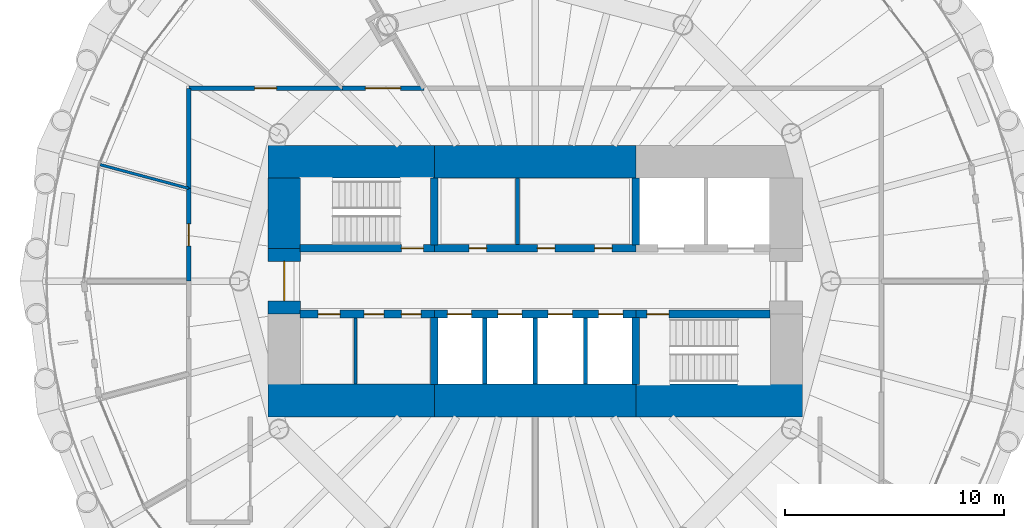
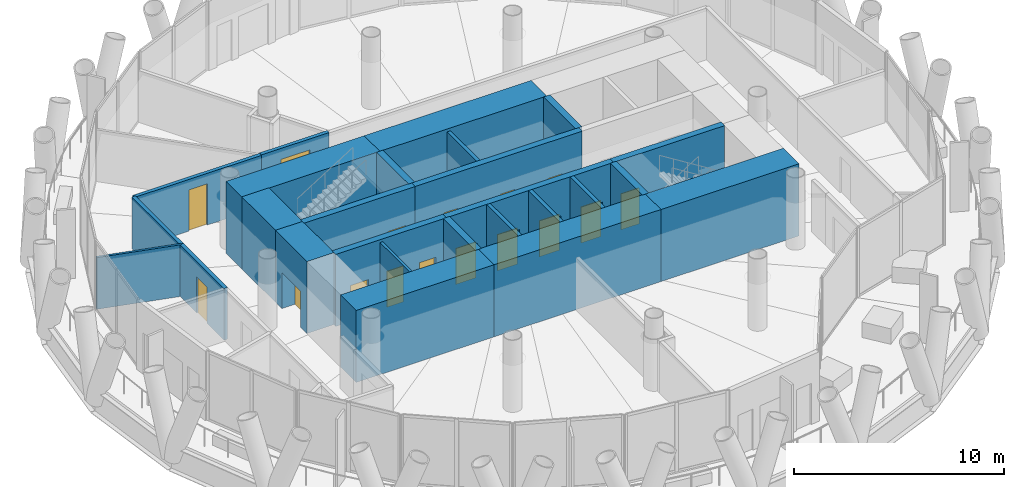
# One storey, part 9 of 14: 26 walls, 16 doors, 16 openings.
"""IFC4 building model written with IfcOpenShell, lengths in metres."""

import ifcopenshell
import ifcopenshell.guid

model = None  # the IFC model being written
_history = None  # IfcOwnerHistory: only IFC2X3 demands one
_inside = {}  # id of a spatial element -> (the spatial element, [elements in it])
_under = {}  # id of a project, library or spatial element -> (it, [spatial elements below it])
_declared = {}  # id of a project -> (the project, [libraries it declares])
_typed = {}  # id of a type object -> (the type object, [elements of that type])
_made_of = {}  # id of a material, layer set ... -> (it, [elements and type objects made of it])


def new_model(schema):
    """Start an empty IFC model of exactly this schema.

    Asked for "IFC4X3", IfcOpenShell would pick the latest addendum, in which some entities
    have other attributes; the version numbers below select the first issue.
    IFC2X3 requires an IfcOwnerHistory on every rooted entity: one is made here for all.
    """
    global model, _history
    if schema == "IFC4X3":
        model = ifcopenshell.file(schema_version=(4, 3, 0, 0))
    else:
        model = ifcopenshell.file(schema=schema)
    _inside.clear()
    _under.clear()
    _declared.clear()
    _typed.clear()
    _made_of.clear()
    _history = None
    if model.schema == "IFC2X3":
        org = make("IfcOrganization", Name="unknown")
        user = make(
            "IfcPersonAndOrganization",
            ThePerson=make("IfcPerson", FamilyName="unknown"),
            TheOrganization=org,
        )
        app = make(
            "IfcApplication",
            ApplicationDeveloper=org,
            Version="unknown",
            ApplicationFullName="unknown",
            ApplicationIdentifier="unknown",
        )
        _history = make(
            "IfcOwnerHistory",
            OwningUser=user,
            OwningApplication=app,
            ChangeAction="ADDED",
            CreationDate=0,
        )
    return model


def make(cls, **values):
    """One entity of the class cls with the attributes given. An attribute that is None is left unset."""
    return model.create_entity(
        cls, **{name: value for name, value in values.items() if value is not None}
    )


def rooted(cls, **values):
    """An entity with a GlobalId (a new one), such as an element, a storey or a relation."""
    return make(cls, GlobalId=ifcopenshell.guid.new(), OwnerHistory=_history, **values)


def si_unit(unit_type, name, prefix=None):
    """IfcSIUnit, for example si_unit("LENGTHUNIT", "METRE", prefix="MILLI")."""
    return make("IfcSIUnit", UnitType=unit_type, Prefix=prefix, Name=name)


def assignment(units):
    """IfcUnitAssignment: the units of a project."""
    return None if units is None else make("IfcUnitAssignment", Units=units)


def point(xyz):
    """IfcCartesianPoint."""
    return None if xyz is None else make("IfcCartesianPoint", Coordinates=xyz)


def direction(xyz):
    """IfcDirection."""
    return None if xyz is None else make("IfcDirection", DirectionRatios=xyz)


def frame(location, z_axis=None, x_axis=None):
    """IfcAxis2Placement3D, a coordinate frame: its origin and axes. An axis left out is left unset."""
    return make(
        "IfcAxis2Placement3D",
        Location=point(location),
        Axis=direction(z_axis),
        RefDirection=direction(x_axis),
    )


def frame_2d(location, x_axis=None):
    """IfcAxis2Placement2D, a coordinate frame in the plane: its origin and x axis."""
    return make(
        "IfcAxis2Placement2D", Location=point(location), RefDirection=direction(x_axis)
    )


def origin():
    """The frame at (0, 0, 0) with its axes left unset."""
    return frame((0.0, 0.0, 0.0))


def place(relative_to, where):
    """IfcLocalPlacement: puts the frame where relative to a parent placement (None: the world)."""
    return make(
        "IfcLocalPlacement", PlacementRelTo=relative_to, RelativePlacement=where
    )


def context(
    kind, dimensions, precision=None, world=None, true_north=None, identifier=None
):
    """IfcGeometricRepresentationContext, for example the 3D "Model" context."""
    return make(
        "IfcGeometricRepresentationContext",
        ContextIdentifier=identifier,
        ContextType=kind,
        CoordinateSpaceDimension=dimensions,
        Precision=precision,
        WorldCoordinateSystem=world,
        TrueNorth=true_north,
    )


def subcontext(parent, identifier, kind, view, scale=None):
    """IfcGeometricRepresentationSubContext, for example "Body" below "Model"."""
    return make(
        "IfcGeometricRepresentationSubContext",
        ContextIdentifier=identifier,
        ContextType=kind,
        ParentContext=parent,
        TargetScale=scale,
        TargetView=view,
    )


def project(units=None, contexts=None):
    """IfcProject with its units and contexts."""
    return rooted(
        "IfcProject",
        Name="project",
        RepresentationContexts=contexts,
        UnitsInContext=assignment(units),
    )


def spatial(cls, under=None, at=None, **own):
    """A site, building, storey or space (cls), placed at a placement, below another one or the project."""
    s = rooted(cls, ObjectPlacement=at, **own)
    if under is not None:
        _under.setdefault(under.id(), (under, []))[1].append(s)
    return s


def profile(cls, at=None, kind="AREA", **sizes):
    """A parametric profile (cls). Its sizes go by their IFC names, for example OverallWidth=200.0."""
    return make(cls, ProfileType=kind, Position=at, **sizes)


def rectangle(**sizes):
    """IfcRectangleProfileDef."""
    return profile("IfcRectangleProfileDef", **sizes)


def extrude(swept, where, along, depth):
    """IfcExtrudedAreaSolid: the profile swept, set in the frame where, extruded along a direction by depth."""
    return make(
        "IfcExtrudedAreaSolid",
        SweptArea=swept,
        Position=where,
        ExtrudedDirection=direction(along),
        Depth=depth,
    )


def shape(context_of_items, identifier, shape_type, items):
    """IfcShapeRepresentation: the items that make up one representation, for example the "Body"."""
    return make(
        "IfcShapeRepresentation",
        ContextOfItems=context_of_items,
        RepresentationIdentifier=identifier,
        RepresentationType=shape_type,
        Items=items,
    )


def material(Name=None, Category=None):
    """IfcMaterial."""
    return make("IfcMaterial", Name=Name, Category=Category)


def layer(
    of_material, thickness, ventilated=None, Name=None, Category=None, Priority=None
):
    """IfcMaterialLayer: one layer of a wall or slab, of a material (None: an air gap)."""
    return make(
        "IfcMaterialLayer",
        Material=of_material,
        LayerThickness=thickness,
        IsVentilated=ventilated,
        Name=Name,
        Category=Category,
        Priority=Priority,
    )


def layer_set(layers, Name=None):
    """IfcMaterialLayerSet."""
    return make("IfcMaterialLayerSet", MaterialLayers=layers, LayerSetName=Name)


def made_of(thing, what):
    """Note that an element or type object is made of a material, layer set ...; save() writes the relation."""
    if what is not None:
        _made_of.setdefault(what.id(), (what, []))[1].append(thing)
    return thing


def type_object(cls, material=None, **own):
    """A type object (cls), such as IfcWallType, which elements share."""
    return made_of(rooted(cls, **own), material)


def element(
    cls,
    number,
    at=None,
    inside=None,
    cuts=None,
    type_object=None,
    material=None,
    context=None,
    identifier="Body",
    shape_type=None,
    held_by="IfcProductDefinitionShape",
    body=None,
    shapes=None,
    **own,
):
    """One element of the class cls, such as IfcWall. Its Tag is "e" and its number.

    at: its placement. inside: the storey or other place that contains it. cuts: it is an
    opening in that element (IfcRelVoidsElement). A single representation is given by context,
    identifier, shape_type and body (its items); several are given by shapes. held_by: the class
    of the entity that holds the representations. save() writes the other relations.
    """
    e = rooted(cls, Tag="e%d" % number, ObjectPlacement=at, **own)
    if body is not None:
        shapes = [shape(context, identifier, shape_type, body)]
    if shapes is not None:
        e.Representation = make(held_by, Representations=shapes)
    if inside is not None:
        _inside.setdefault(inside.id(), (inside, []))[1].append(e)
    if cuts is not None:
        rooted(
            "IfcRelVoidsElement", RelatingBuildingElement=cuts, RelatedOpeningElement=e
        )
    if type_object is not None:
        _typed.setdefault(type_object.id(), (type_object, []))[1].append(e)
    return made_of(e, material)


def fill(opening, filler):
    """IfcRelFillsElement: the door or window that sits in an opening."""
    return rooted(
        "IfcRelFillsElement",
        RelatingOpeningElement=opening,
        RelatedBuildingElement=filler,
    )


def aggregate(whole, parts):
    """IfcRelAggregates: a whole, such as a stair, and the parts it consists of."""
    return rooted("IfcRelAggregates", RelatingObject=whole, RelatedObjects=parts)


def save(model, path):
    """Write the relations noted so far, then the file.

    IfcRelAggregates (storeys below a building ...), IfcRelContainedInSpatialStructure (elements
    in a storey), IfcRelDefinesByType, IfcRelAssociatesMaterial and IfcRelDeclares: one each for
    every whole, place, type object, material and project.
    """
    for whole, parts in _under.values():
        aggregate(whole, parts)
    for where, things in _inside.values():
        rooted(
            "IfcRelContainedInSpatialStructure",
            RelatedElements=things,
            RelatingStructure=where,
        )
    for kind, things in _typed.values():
        rooted("IfcRelDefinesByType", RelatedObjects=things, RelatingType=kind)
    for what, things in _made_of.values():
        rooted("IfcRelAssociatesMaterial", RelatedObjects=things, RelatingMaterial=what)
    for by, libraries in _declared.values():
        rooted("IfcRelDeclares", RelatingContext=by, RelatedDefinitions=libraries)
    model.write(path)


model = new_model("IFC4")

# Units and contexts
model_context = context("Model", 3, precision=1e-05, world=origin(), true_north=direction((0.0, 1.0)))
body_context = subcontext(model_context, "Body", "Model", "MODEL_VIEW")
ifc_project = project(units=[si_unit("LENGTHUNIT", "METRE"), si_unit("AREAUNIT", "SQUARE_METRE"), si_unit("VOLUMEUNIT", "CUBIC_METRE"), si_unit("PLANEANGLEUNIT", "RADIAN"), si_unit("MASSUNIT", "GRAM", prefix="KILO")], contexts=[model_context])

# Site, building, storey
site_placement = place(None, origin())
site = spatial("IfcSite", under=ifc_project, at=site_placement, CompositionType="ELEMENT")
building_placement = place(site_placement, origin())
building = spatial("IfcBuilding", under=site, at=building_placement, Name="Qaws Media Tower", CompositionType="ELEMENT")
storey_placement = place(building_placement, frame((0.0, 0.0, 210.800048828125)))
storey = spatial("IfcBuildingStorey", under=building, at=storey_placement, Name="L48", CompositionType="ELEMENT", Elevation=210.800048828125)

# Wall, opening, door
ifc_material_1 = material(Name="Concrete C60/75", Category="concrete")
ifc_layer_1 = layer(ifc_material_1, 0.35009765625)
ifc_layer_set_1 = layer_set([ifc_layer_1], Name="Core inner wall 350")
wall_type_1 = type_object("IfcWallType", Name="Core inner wall 350", PredefinedType="SHEAR", material=ifc_layer_set_1)
wall_1_placement = place(storey_placement, frame((49.280029296875, 51.5, 0.0), z_axis=(0.0, 0.0, 1.0), x_axis=(1.0, 0.0, 0.0)))
wall_1 = element("IfcWall", 1, at=wall_1_placement, inside=storey, type_object=wall_type_1, Name="W301 SW5 core wall SPNW L48", PredefinedType="SHEAR", context=body_context, shape_type="SweptSolid", body=[
    extrude(rectangle(XDim=6.119873046875, YDim=0.35009765625, at=frame_2d((3.06005859375, 0.0))), origin(), (0.0, 0.0, 1.0), 4.199951171875),
])
opening_1_placement = place(wall_1_placement, frame((4.6201171875, 0.0, 0.0)))
opening_1 = element("IfcOpeningElement", 2, at=opening_1_placement, cuts=wall_1, Name="Opening D1", PredefinedType="OPENING", context=body_context, shape_type="SweptSolid", body=[
    extrude(rectangle(XDim=1.0, YDim=2.10009765625, at=frame_2d((0.5, 1.050048828125))), frame((0.0, 0.18505859375, 0.0), z_axis=(0.0, -1.0, 0.0), x_axis=(1.0, 0.0, 0.0)), (0.0, 0.0, 1.0), 0.3701171875),
])
ifc_material_2 = material(Name="Steel, fire rated", Category="steel")
door_type_1 = type_object("IfcDoorType", Name="Stair door 1000 FD120", OperationType="SINGLE_SWING_LEFT", PredefinedType="DOOR", material=ifc_material_2)
door_1_placement = place(opening_1_placement, origin())
door_1 = element("IfcDoor", 3, at=door_1_placement, inside=storey, type_object=door_type_1, Name="D1 stair S1 door L48 in wall W301", OperationType="SINGLE_SWING_LEFT", OverallHeight=2.10009765625, OverallWidth=1.0, PredefinedType="DOOR", context=body_context, shape_type="SweptSolid", body=[
    extrude(rectangle(XDim=1.0, YDim=2.10009765625, at=frame_2d((0.5, 1.050048828125))), frame((0.0, 0.02490234375, 0.0), z_axis=(0.0, -1.0, 0.0), x_axis=(1.0, 0.0, 0.0)), (0.0, 0.0, 1.0), 0.050048828125),
])
fill(opening_1, door_1)

# Wall, openings, doors
wall_2_placement = place(storey_placement, frame((55.39990234375, 51.5, 0.0), z_axis=(0.0, 0.0, 1.0), x_axis=(1.0, 0.0, 0.0)))
wall_2 = element("IfcWall", 4, at=wall_2_placement, inside=storey, type_object=wall_type_1, Name="W304 SW5 core wall SPN L48", PredefinedType="SHEAR", context=body_context, shape_type="SweptSolid", body=[
    extrude(rectangle(XDim=9.2001953125, YDim=0.35009765625, at=frame_2d((4.60009765625, 0.0))), origin(), (0.0, 0.0, 1.0), 4.199951171875),
])
opening_2_placement = place(wall_2_placement, frame((1.585205078125, 0.0, 0.0)))
opening_2 = element("IfcOpeningElement", 5, at=opening_2_placement, cuts=wall_2, Name="Opening D23", PredefinedType="OPENING", context=body_context, shape_type="SweptSolid", body=[
    extrude(rectangle(XDim=0.800048828125, YDim=2.10009765625, at=frame_2d((0.39990234375, 1.050048828125))), frame((0.0, 0.18505859375, 0.0), z_axis=(0.0, -1.0, 0.0), x_axis=(1.0, 0.0, 0.0)), (0.0, 0.0, 1.0), 0.3701171875),
])
opening_3_placement = place(wall_2_placement, frame((4.702880859375, 0.0, 0.0)))
opening_3 = element("IfcOpeningElement", 6, at=opening_3_placement, cuts=wall_2, Name="Opening D23", PredefinedType="OPENING", context=body_context, shape_type="SweptSolid", body=[
    extrude(rectangle(XDim=0.800048828125, YDim=2.10009765625, at=frame_2d((0.39990234375, 1.050048828125))), frame((0.0, 0.18505859375, 0.0), z_axis=(0.0, -1.0, 0.0), x_axis=(1.0, 0.0, 0.0)), (0.0, 0.0, 1.0), 0.3701171875),
])
opening_4_placement = place(wall_2_placement, frame((7.317626953125, 0.0, 0.0)))
opening_4 = element("IfcOpeningElement", 7, at=opening_4_placement, cuts=wall_2, Name="Opening D23", PredefinedType="OPENING", context=body_context, shape_type="SweptSolid", body=[
    extrude(rectangle(XDim=0.800048828125, YDim=2.10009765625, at=frame_2d((0.39990234375, 1.050048828125))), frame((0.0, 0.18505859375, 0.0), z_axis=(0.0, -1.0, 0.0), x_axis=(1.0, 0.0, 0.0)), (0.0, 0.0, 1.0), 0.3701171875),
])
ifc_material_3 = material(Name="Steel, fire rated", Category="steel")
door_type_2 = type_object("IfcDoorType", Name="Core room door 800x2100", OperationType="SINGLE_SWING_LEFT", PredefinedType="DOOR", material=ifc_material_3)
door_2_placement = place(opening_2_placement, origin())
door_2 = element("IfcDoor", 8, at=door_2_placement, inside=storey, type_object=door_type_2, Name="D23 Ladies toilets door L48 in wall W304", OperationType="SINGLE_SWING_LEFT", OverallHeight=2.10009765625, OverallWidth=0.800048828125, PredefinedType="DOOR", context=body_context, shape_type="SweptSolid", body=[
    extrude(rectangle(XDim=0.800048828125, YDim=2.10009765625, at=frame_2d((0.39990234375, 1.050048828125))), frame((0.0, 0.02490234375, 0.0), z_axis=(0.0, -1.0, 0.0), x_axis=(1.0, 0.0, 0.0)), (0.0, 0.0, 1.0), 0.050048828125),
])
fill(opening_2, door_2)
door_3_placement = place(opening_3_placement, origin())
door_3 = element("IfcDoor", 9, at=door_3_placement, inside=storey, type_object=door_type_2, Name="D23 Gents toilets door L48 2 in wall W304", OperationType="SINGLE_SWING_LEFT", OverallHeight=2.10009765625, OverallWidth=0.800048828125, PredefinedType="DOOR", context=body_context, shape_type="SweptSolid", body=[
    extrude(rectangle(XDim=0.800048828125, YDim=2.10009765625, at=frame_2d((0.39990234375, 1.050048828125))), frame((0.0, 0.02490234375, 0.0), z_axis=(0.0, -1.0, 0.0), x_axis=(1.0, 0.0, 0.0)), (0.0, 0.0, 1.0), 0.050048828125),
])
fill(opening_3, door_3)
door_4_placement = place(opening_4_placement, origin())
door_4 = element("IfcDoor", 10, at=door_4_placement, inside=storey, type_object=door_type_2, Name="D23 Gents toilets door L48 3 in wall W304", OperationType="SINGLE_SWING_LEFT", OverallHeight=2.10009765625, OverallWidth=0.800048828125, PredefinedType="DOOR", context=body_context, shape_type="SweptSolid", body=[
    extrude(rectangle(XDim=0.800048828125, YDim=2.10009765625, at=frame_2d((0.39990234375, 1.050048828125))), frame((0.0, 0.02490234375, 0.0), z_axis=(0.0, -1.0, 0.0), x_axis=(1.0, 0.0, 0.0)), (0.0, 0.0, 1.0), 0.050048828125),
])
fill(opening_4, door_4)

wall_3_placement = place(storey_placement, frame((49.280029296875, 48.5, 0.0), z_axis=(0.0, 0.0, 1.0), x_axis=(1.0, 0.0, 0.0)))
wall_3 = element("IfcWall", 11, at=wall_3_placement, inside=storey, type_object=wall_type_1, Name="W300 SW5 core wall SPSW L48", PredefinedType="SHEAR", context=body_context, shape_type="SweptSolid", body=[
    extrude(rectangle(XDim=6.119873046875, YDim=0.35009765625, at=frame_2d((3.06005859375, 0.0))), origin(), (0.0, 0.0, 1.0), 4.199951171875),
])
opening_5_placement = place(wall_3_placement, frame((0.820068359375, 0.0, 0.0)))
opening_5 = element("IfcOpeningElement", 12, at=opening_5_placement, cuts=wall_3, Name="Opening D4", PredefinedType="OPENING", context=body_context, shape_type="SweptSolid", body=[
    extrude(rectangle(XDim=1.0, YDim=2.10009765625, at=frame_2d((0.5, 1.050048828125))), frame((0.0, 0.18505859375, 0.0), z_axis=(0.0, -1.0, 0.0), x_axis=(1.0, 0.0, 0.0)), (0.0, 0.0, 1.0), 0.3701171875),
])
opening_6_placement = place(wall_3_placement, frame((2.919921875, 0.0, 0.0)))
opening_6 = element("IfcOpeningElement", 13, at=opening_6_placement, cuts=wall_3, Name="Opening D25", PredefinedType="OPENING", context=body_context, shape_type="SweptSolid", body=[
    extrude(rectangle(XDim=0.89990234375, YDim=2.10009765625, at=frame_2d((0.449951171875, 1.050048828125))), frame((0.0, 0.18505859375, 0.0), z_axis=(0.0, -1.0, 0.0), x_axis=(1.0, 0.0, 0.0)), (0.0, 0.0, 1.0), 0.3701171875),
])
opening_7_placement = place(wall_3_placement, frame((4.6201171875, 0.0, 0.0)))
opening_7 = element("IfcOpeningElement", 14, at=opening_7_placement, cuts=wall_3, Name="Opening D25", PredefinedType="OPENING", context=body_context, shape_type="SweptSolid", body=[
    extrude(rectangle(XDim=0.89990234375, YDim=2.10009765625, at=frame_2d((0.449951171875, 1.050048828125))), frame((0.0, 0.18505859375, 0.0), z_axis=(0.0, -1.0, 0.0), x_axis=(1.0, 0.0, 0.0)), (0.0, 0.0, 1.0), 0.3701171875),
])
ifc_material_4 = material(Name="Timber veneered", Category="wood")
door_type_3 = type_object("IfcDoorType", Name="Accessible WC door 1000", OperationType="SLIDING_TO_LEFT", PredefinedType="DOOR", material=ifc_material_4)
door_5_placement = place(opening_5_placement, origin())
door_5 = element("IfcDoor", 15, at=door_5_placement, inside=storey, type_object=door_type_3, Name="D4 toilet door 1 L48 in wall W300", OperationType="SLIDING_TO_LEFT", OverallHeight=2.10009765625, OverallWidth=1.0, PredefinedType="DOOR", context=body_context, shape_type="SweptSolid", body=[
    extrude(rectangle(XDim=1.0, YDim=2.10009765625, at=frame_2d((0.5, 1.050048828125))), frame((0.0, 0.02490234375, 0.0), z_axis=(0.0, -1.0, 0.0), x_axis=(1.0, 0.0, 0.0)), (0.0, 0.0, 1.0), 0.050048828125),
])
fill(opening_5, door_5)
ifc_material_5 = material(Name="Steel, fire rated", Category="steel")
door_type_4 = type_object("IfcDoorType", Name="Core service door 900", OperationType="SINGLE_SWING_RIGHT", PredefinedType="DOOR", material=ifc_material_5)
door_6_placement = place(opening_6_placement, origin())
door_6 = element("IfcDoor", 16, at=door_6_placement, inside=storey, type_object=door_type_4, Name="D25 toilet door 2 L48 in wall W300", OperationType="SINGLE_SWING_RIGHT", OverallHeight=2.10009765625, OverallWidth=0.89990234375, PredefinedType="DOOR", context=body_context, shape_type="SweptSolid", body=[
    extrude(rectangle(XDim=0.89990234375, YDim=2.10009765625, at=frame_2d((0.449951171875, 1.050048828125))), frame((0.0, 0.02490234375, 0.0), z_axis=(0.0, -1.0, 0.0), x_axis=(1.0, 0.0, 0.0)), (0.0, 0.0, 1.0), 0.050048828125),
])
fill(opening_6, door_6)
door_7_placement = place(opening_7_placement, origin())
door_7 = element("IfcDoor", 17, at=door_7_placement, inside=storey, type_object=door_type_4, Name="D25 toilet door 3 L48 in wall W300", OperationType="SINGLE_SWING_RIGHT", OverallHeight=2.10009765625, OverallWidth=0.89990234375, PredefinedType="DOOR", context=body_context, shape_type="SweptSolid", body=[
    extrude(rectangle(XDim=0.89990234375, YDim=2.10009765625, at=frame_2d((0.449951171875, 1.050048828125))), frame((0.0, 0.02490234375, 0.0), z_axis=(0.0, -1.0, 0.0), x_axis=(1.0, 0.0, 0.0)), (0.0, 0.0, 1.0), 0.050048828125),
])
fill(opening_7, door_7)

wall_4_placement = place(storey_placement, frame((55.39990234375, 48.5, 0.0), z_axis=(0.0, 0.0, 1.0), x_axis=(1.0, 0.0, 0.0)))
wall_4 = element("IfcWall", 18, at=wall_4_placement, inside=storey, type_object=wall_type_1, Name="W303 SW5 core wall SPS L48", PredefinedType="SHEAR", context=body_context, shape_type="SweptSolid", body=[
    extrude(rectangle(XDim=9.2001953125, YDim=0.35009765625, at=frame_2d((4.60009765625, 0.0))), origin(), (0.0, 0.0, 1.0), 4.199951171875),
])
opening_8_placement = place(wall_4_placement, frame((0.60009765625, 0.0, 0.0)))
opening_8 = element("IfcOpeningElement", 19, at=opening_8_placement, cuts=wall_4, Name="Opening LD", PredefinedType="OPENING", context=body_context, shape_type="SweptSolid", body=[
    extrude(rectangle(XDim=1.10009765625, YDim=2.10009765625, at=frame_2d((0.550048828125, 1.050048828125))), frame((0.0, 0.18505859375, 0.0), z_axis=(0.0, -1.0, 0.0), x_axis=(1.0, 0.0, 0.0)), (0.0, 0.0, 1.0), 0.3701171875),
])
opening_9_placement = place(wall_4_placement, frame((2.89990234375, 0.0, 0.0)))
opening_9 = element("IfcOpeningElement", 20, at=opening_9_placement, cuts=wall_4, Name="Opening LD", PredefinedType="OPENING", context=body_context, shape_type="SweptSolid", body=[
    extrude(rectangle(XDim=1.10009765625, YDim=2.10009765625, at=frame_2d((0.550048828125, 1.050048828125))), frame((0.0, 0.18505859375, 0.0), z_axis=(0.0, -1.0, 0.0), x_axis=(1.0, 0.0, 0.0)), (0.0, 0.0, 1.0), 0.3701171875),
])
opening_10_placement = place(wall_4_placement, frame((5.199951171875, 0.0, 0.0)))
opening_10 = element("IfcOpeningElement", 21, at=opening_10_placement, cuts=wall_4, Name="Opening LD", PredefinedType="OPENING", context=body_context, shape_type="SweptSolid", body=[
    extrude(rectangle(XDim=1.10009765625, YDim=2.10009765625, at=frame_2d((0.550048828125, 1.050048828125))), frame((0.0, 0.18505859375, 0.0), z_axis=(0.0, -1.0, 0.0), x_axis=(1.0, 0.0, 0.0)), (0.0, 0.0, 1.0), 0.3701171875),
])
opening_11_placement = place(wall_4_placement, frame((7.5, 0.0, 0.0)))
opening_11 = element("IfcOpeningElement", 22, at=opening_11_placement, cuts=wall_4, Name="Opening LD", PredefinedType="OPENING", context=body_context, shape_type="SweptSolid", body=[
    extrude(rectangle(XDim=1.10009765625, YDim=2.10009765625, at=frame_2d((0.550048828125, 1.050048828125))), frame((0.0, 0.18505859375, 0.0), z_axis=(0.0, -1.0, 0.0), x_axis=(1.0, 0.0, 0.0)), (0.0, 0.0, 1.0), 0.3701171875),
])
ifc_material_6 = material(Name="Steel, fire rated", Category="steel")
door_type_5 = type_object("IfcDoorType", Name="Lift landing door 1100", OperationType="SLIDING_TO_LEFT", PredefinedType="DOOR", material=ifc_material_6)
door_8_placement = place(opening_8_placement, origin())
door_8 = element("IfcDoor", 23, at=door_8_placement, inside=storey, type_object=door_type_5, Name="P5 landing door L48 in wall W303", OperationType="SLIDING_TO_LEFT", OverallHeight=2.10009765625, OverallWidth=1.10009765625, PredefinedType="DOOR", context=body_context, shape_type="SweptSolid", body=[
    extrude(rectangle(XDim=1.10009765625, YDim=2.10009765625, at=frame_2d((0.550048828125, 1.050048828125))), frame((0.0, 0.02490234375, 0.0), z_axis=(0.0, -1.0, 0.0), x_axis=(1.0, 0.0, 0.0)), (0.0, 0.0, 1.0), 0.050048828125),
])
fill(opening_8, door_8)
door_9_placement = place(opening_9_placement, origin())
door_9 = element("IfcDoor", 24, at=door_9_placement, inside=storey, type_object=door_type_5, Name="P6 landing door L48 in wall W303", OperationType="SLIDING_TO_LEFT", OverallHeight=2.10009765625, OverallWidth=1.10009765625, PredefinedType="DOOR", context=body_context, shape_type="SweptSolid", body=[
    extrude(rectangle(XDim=1.10009765625, YDim=2.10009765625, at=frame_2d((0.550048828125, 1.050048828125))), frame((0.0, 0.02490234375, 0.0), z_axis=(0.0, -1.0, 0.0), x_axis=(1.0, 0.0, 0.0)), (0.0, 0.0, 1.0), 0.050048828125),
])
fill(opening_9, door_9)
door_10_placement = place(opening_10_placement, origin())
door_10 = element("IfcDoor", 25, at=door_10_placement, inside=storey, type_object=door_type_5, Name="P7 landing door L48 in wall W303", OperationType="SLIDING_TO_LEFT", OverallHeight=2.10009765625, OverallWidth=1.10009765625, PredefinedType="DOOR", context=body_context, shape_type="SweptSolid", body=[
    extrude(rectangle(XDim=1.10009765625, YDim=2.10009765625, at=frame_2d((0.550048828125, 1.050048828125))), frame((0.0, 0.02490234375, 0.0), z_axis=(0.0, -1.0, 0.0), x_axis=(1.0, 0.0, 0.0)), (0.0, 0.0, 1.0), 0.050048828125),
])
fill(opening_10, door_10)
door_11_placement = place(opening_11_placement, origin())
door_11 = element("IfcDoor", 26, at=door_11_placement, inside=storey, type_object=door_type_5, Name="P8 landing door L48 in wall W303", OperationType="SLIDING_TO_LEFT", OverallHeight=2.10009765625, OverallWidth=1.10009765625, PredefinedType="DOOR", context=body_context, shape_type="SweptSolid", body=[
    extrude(rectangle(XDim=1.10009765625, YDim=2.10009765625, at=frame_2d((0.550048828125, 1.050048828125))), frame((0.0, 0.02490234375, 0.0), z_axis=(0.0, -1.0, 0.0), x_axis=(1.0, 0.0, 0.0)), (0.0, 0.0, 1.0), 0.050048828125),
])
fill(opening_11, door_11)

# Wall, opening, door
wall_5_placement = place(storey_placement, frame((64.60009765625, 48.5, 0.0), z_axis=(0.0, 0.0, 1.0), x_axis=(1.0, 0.0, 0.0)))
wall_5 = element("IfcWall", 27, at=wall_5_placement, inside=storey, type_object=wall_type_1, Name="W307 SW5 core wall SPSE L48", PredefinedType="SHEAR", context=body_context, shape_type="SweptSolid", body=[
    extrude(rectangle(XDim=6.119873046875, YDim=0.35009765625, at=frame_2d((3.06005859375, 0.0))), origin(), (0.0, 0.0, 1.0), 4.199951171875),
])
opening_12_placement = place(wall_5_placement, frame((0.5, 0.0, 0.0)))
opening_12 = element("IfcOpeningElement", 28, at=opening_12_placement, cuts=wall_5, Name="Opening D1", PredefinedType="OPENING", context=body_context, shape_type="SweptSolid", body=[
    extrude(rectangle(XDim=1.0, YDim=2.10009765625, at=frame_2d((0.5, 1.050048828125))), frame((0.0, 0.18505859375, 0.0), z_axis=(0.0, -1.0, 0.0), x_axis=(1.0, 0.0, 0.0)), (0.0, 0.0, 1.0), 0.3701171875),
])
door_12_placement = place(opening_12_placement, origin())
door_12 = element("IfcDoor", 29, at=door_12_placement, inside=storey, type_object=door_type_1, Name="D1 stair S2 door L48 in wall W307", OperationType="SINGLE_SWING_LEFT", OverallHeight=2.10009765625, OverallWidth=1.0, PredefinedType="DOOR", context=body_context, shape_type="SweptSolid", body=[
    extrude(rectangle(XDim=1.0, YDim=2.10009765625, at=frame_2d((0.5, 1.050048828125))), frame((0.0, 0.02490234375, 0.0), z_axis=(0.0, -1.0, 0.0), x_axis=(1.0, 0.0, 0.0)), (0.0, 0.0, 1.0), 0.050048828125),
])
fill(opening_12, door_12)

# Walls
for number, where, z_axis, x_axis, name in (
    (30, (55.39990234375, 51.655029296875, 0.0), (0.0, 0.0, 1.0), (0.0, 1.0, 0.0), "W305 SW5 core wall XNW L48"),
    (31, (64.60009765625, 51.655029296875, 0.0), (0.0, 0.0, 1.0), (0.0, 1.0, 0.0), "W309 SW5 core wall XNE L48"),
    (32, (55.39990234375, 48.344970703125, 0.0), (0.0, 0.0, 1.0), (0.0, -1.0, 0.0), "W302 SW5 core wall XSW L48"),
    (33, (64.60009765625, 48.344970703125, 0.0), (0.0, 0.0, 1.0), (0.0, -1.0, 0.0), "W306 SW5 core wall XSE L48"),
):
    element("IfcWall", number, at=place(storey_placement, frame(where, z_axis=z_axis, x_axis=x_axis)), inside=storey, type_object=wall_type_1, Name=name, PredefinedType="SHEAR", context=body_context, shape_type="SweptSolid", body=[
        extrude(rectangle(XDim=3.06494140625, YDim=0.35009765625, at=frame_2d((1.532470703125, 0.0))), origin(), (0.0, 0.0, 1.0), 4.199951171875),
    ])
ifc_material_7 = material(Name="Concrete C60/75", Category="concrete")
ifc_layer_2 = layer(ifc_material_7, 1.5)
ifc_layer_set_2 = layer_set([ifc_layer_2], Name="Core wall 1500")
wall_type_2 = type_object("IfcWallType", Name="Core wall 1500", PredefinedType="SHEAR", material=ifc_layer_set_2)
wall_6_placement = place(storey_placement, frame((47.800048828125, 55.449951171875, 0.0), z_axis=(0.0, 0.0, 1.0), x_axis=(1.0, 0.0, 0.0)))
element("IfcWall", 34, at=wall_6_placement, inside=storey, type_object=wall_type_2, Name="W377 SW13 core wall NW L48", PredefinedType="SHEAR", context=body_context, shape_type="SweptSolid", body=[
    extrude(rectangle(XDim=7.599853515625, YDim=1.5, at=frame_2d((3.7998046875, 0.0))), origin(), (0.0, 0.0, 1.0), 4.199951171875),
])
wall_7_placement = place(storey_placement, frame((55.39990234375, 55.449951171875, 0.0), z_axis=(0.0, 0.0, 1.0), x_axis=(1.0, 0.0, 0.0)))
element("IfcWall", 35, at=wall_7_placement, inside=storey, type_object=wall_type_2, Name="W373 SW13 core wall N L48", PredefinedType="SHEAR", context=body_context, shape_type="SweptSolid", body=[
    extrude(rectangle(XDim=9.2001953125, YDim=1.5, at=frame_2d((4.60009765625, 0.0))), origin(), (0.0, 0.0, 1.0), 4.199951171875),
])
wall_8_placement = place(storey_placement, frame((47.800048828125, 44.550048828125, 0.0), z_axis=(0.0, 0.0, 1.0), x_axis=(1.0, 0.0, 0.0)))
element("IfcWall", 36, at=wall_8_placement, inside=storey, type_object=wall_type_2, Name="W376 SW13 core wall SW L48", PredefinedType="SHEAR", context=body_context, shape_type="SweptSolid", body=[
    extrude(rectangle(XDim=7.599853515625, YDim=1.5, at=frame_2d((3.7998046875, 0.0))), origin(), (0.0, 0.0, 1.0), 4.199951171875),
])
wall_9_placement = place(storey_placement, frame((55.39990234375, 44.550048828125, 0.0), z_axis=(0.0, 0.0, 1.0), x_axis=(1.0, 0.0, 0.0)))
element("IfcWall", 37, at=wall_9_placement, inside=storey, type_object=wall_type_2, Name="W372 SW13 core wall S L48", PredefinedType="SHEAR", context=body_context, shape_type="SweptSolid", body=[
    extrude(rectangle(XDim=9.2001953125, YDim=1.5, at=frame_2d((4.60009765625, 0.0))), origin(), (0.0, 0.0, 1.0), 4.199951171875),
])
wall_10_placement = place(storey_placement, frame((64.60009765625, 44.550048828125, 0.0), z_axis=(0.0, 0.0, 1.0), x_axis=(1.0, 0.0, 0.0)))
element("IfcWall", 38, at=wall_10_placement, inside=storey, type_object=wall_type_2, Name="W381 SW13 core wall SE L48", PredefinedType="SHEAR", context=body_context, shape_type="SweptSolid", body=[
    extrude(rectangle(XDim=7.599853515625, YDim=1.5, at=frame_2d((3.7998046875, 0.0))), origin(), (0.0, 0.0, 1.0), 4.199951171875),
])

# Wall, opening, door
wall_11_placement = place(storey_placement, frame((48.550048828125, 48.5, 0.0), z_axis=(0.0, 0.0, 1.0), x_axis=(0.0, 1.0, 0.0)))
wall_11 = element("IfcWall", 39, at=wall_11_placement, inside=storey, type_object=wall_type_2, Name="W379 SW13 core wall W L48", PredefinedType="SHEAR", context=body_context, shape_type="SweptSolid", body=[
    extrude(rectangle(XDim=3.0, YDim=1.5, at=frame_2d((1.5, 0.0))), origin(), (0.0, 0.0, 1.0), 4.199951171875),
])
opening_13_placement = place(wall_11_placement, frame((0.60009765625, 0.0, 0.0)))
opening_13 = element("IfcOpeningElement", 40, at=opening_13_placement, cuts=wall_11, Name="Opening D2", PredefinedType="OPENING", context=body_context, shape_type="SweptSolid", body=[
    extrude(rectangle(XDim=1.800048828125, YDim=2.10009765625, at=frame_2d((0.89990234375, 1.050048828125))), frame((0.0, 0.760009765625, 0.0), z_axis=(0.0, -1.0, 0.0), x_axis=(1.0, 0.0, 0.0)), (0.0, 0.0, 1.0), 1.52001953125),
])
ifc_material_8 = material(Name="Steel and glass, fire rated", Category="steel")
door_type_6 = type_object("IfcDoorType", Name="Lobby door pair 1800 FD60", OperationType="DOUBLE_DOOR_DOUBLE_SWING", PredefinedType="DOOR", material=ifc_material_8)
door_13_placement = place(opening_13_placement, origin())
door_13 = element("IfcDoor", 41, at=door_13_placement, inside=storey, type_object=door_type_6, Name="D2 core lobby door W L48 in wall W379", OperationType="DOUBLE_DOOR_DOUBLE_SWING", OverallHeight=2.10009765625, OverallWidth=1.800048828125, PredefinedType="DOOR", context=body_context, shape_type="SweptSolid", body=[
    extrude(rectangle(XDim=1.800048828125, YDim=2.10009765625, at=frame_2d((0.89990234375, 1.050048828125))), frame((0.0, 0.02490234375, 0.0), z_axis=(0.0, -1.0, 0.0), x_axis=(1.0, 0.0, 0.0)), (0.0, 0.0, 1.0), 0.050048828125),
])
fill(opening_13, door_13)

# Walls
wall_12_placement = place(storey_placement, frame((48.550048828125, 51.5, 0.0), z_axis=(0.0, 0.0, 1.0), x_axis=(0.0, 1.0, 0.0)))
element("IfcWall", 42, at=wall_12_placement, inside=storey, type_object=wall_type_2, Name="W380 SW13 core wall WN L48", PredefinedType="SHEAR", context=body_context, shape_type="SweptSolid", body=[
    extrude(rectangle(XDim=3.219970703125, YDim=1.5, at=frame_2d((1.60986328125, 0.0))), origin(), (0.0, 0.0, 1.0), 4.199951171875),
])
ifc_material_9 = material(Name="Two layers gypsum board each side on 75 studs, insulated", Category="gypsum")
ifc_layer_3 = layer(ifc_material_9, 0.125)
ifc_layer_set_3 = layer_set([ifc_layer_3], Name="Meeting room partition 125 Rw 48")
wall_type_3 = type_object("IfcWallType", Name="Meeting room partition 125 Rw 48", PredefinedType="PARTITIONING", material=ifc_layer_set_3)
wall_13_placement = place(storey_placement, frame((44.197509765625, 54.234375, 0.0), z_axis=(0.0, 0.0, 1.0), x_axis=(-0.965933262516, 0.258791291131, 0.0)))
element("IfcWall", 43, at=wall_13_placement, inside=storey, type_object=wall_type_3, Name="W599 IW5 partition L48", PredefinedType="PARTITIONING", context=body_context, shape_type="SweptSolid", body=[
    extrude(rectangle(XDim=4.199951171875, YDim=0.125, at=frame_2d((2.10009765625, 0.0))), origin(), (0.0, 0.0, 1.0), 3.011962890625),
])

# Wall, opening, door
ifc_material_10 = material(Name="Gypsum board on galvanised metal studs, acoustic double stud, deflection head", Category="gypsum")
ifc_layer_4 = layer(ifc_material_10, 0.199951171875)
ifc_layer_set_4 = layer_set([ifc_layer_4], Name="Room partition 200")
wall_type_4 = type_object("IfcWallType", Name="Room partition 200", PredefinedType="PARTITIONING", material=ifc_layer_set_4)
wall_14_placement = place(storey_placement, frame((44.199951171875, 58.800048828125, 0.0), z_axis=(0.0, 0.0, 1.0), x_axis=(1.0, 0.0, 0.0)))
wall_14 = element("IfcWall", 44, at=wall_14_placement, inside=storey, type_object=wall_type_4, Name="W1526 IW3 partition L48", PredefinedType="PARTITIONING", context=body_context, shape_type="SweptSolid", body=[
    extrude(rectangle(XDim=7.0, YDim=0.199951171875, at=frame_2d((3.5, 0.0))), origin(), (0.0, 0.0, 1.0), 3.011962890625),
])
opening_14_placement = place(wall_14_placement, frame((3.0, 0.0, 0.0)))
opening_14 = element("IfcOpeningElement", 45, at=opening_14_placement, cuts=wall_14, Name="Opening D13", PredefinedType="OPENING", context=body_context, shape_type="SweptSolid", body=[
    extrude(rectangle(XDim=1.0, YDim=2.39990234375, at=frame_2d((0.5, 1.199951171875))), frame((0.0, 0.10986328125, 0.0), z_axis=(0.0, -1.0, 0.0), x_axis=(1.0, 0.0, 0.0)), (0.0, 0.0, 1.0), 0.219970703125),
])
ifc_material_11 = material(Name="Frameless toughened glass, acoustic seals", Category="glass")
door_type_7 = type_object("IfcDoorType", Name="Glazed meeting room door 1000x2400", OperationType="SINGLE_SWING_LEFT", PredefinedType="DOOR", material=ifc_material_11)
door_14_placement = place(opening_14_placement, origin())
door_14 = element("IfcDoor", 46, at=door_14_placement, inside=storey, type_object=door_type_7, Name="D13 Meeting room door L48 in wall W1526", OperationType="SINGLE_SWING_LEFT", OverallHeight=2.39990234375, OverallWidth=1.0, PredefinedType="DOOR", context=body_context, shape_type="SweptSolid", body=[
    extrude(rectangle(XDim=1.0, YDim=2.39990234375, at=frame_2d((0.5, 1.199951171875))), frame((0.0, 0.02490234375, 0.0), z_axis=(0.0, -1.0, 0.0), x_axis=(1.0, 0.0, 0.0)), (0.0, 0.0, 1.0), 0.050048828125),
])
fill(opening_14, door_14)

wall_15_placement = place(storey_placement, frame((51.199951171875, 58.800048828125, 0.0), z_axis=(0.0, 0.0, 1.0), x_axis=(1.0, 0.0, 0.0)))
wall_15 = element("IfcWall", 47, at=wall_15_placement, inside=storey, type_object=wall_type_4, Name="W1529 IW3 partition L48", PredefinedType="PARTITIONING", context=body_context, shape_type="SweptSolid", body=[
    extrude(rectangle(XDim=3.71923828125, YDim=0.199951171875, at=frame_2d((1.859619140625, 0.0))), origin(), (0.0, 0.0, 1.0), 3.0400390625),
])
opening_15_placement = place(wall_15_placement, frame((1.059814453125, 0.0, 0.0)))
opening_15 = element("IfcOpeningElement", 48, at=opening_15_placement, cuts=wall_15, Name="Opening D16", PredefinedType="OPENING", context=body_context, shape_type="SweptSolid", body=[
    extrude(rectangle(XDim=1.60009765625, YDim=2.39990234375, at=frame_2d((0.800048828125, 1.199951171875))), frame((0.0, 0.10986328125, 0.0), z_axis=(0.0, -1.0, 0.0), x_axis=(1.0, 0.0, 0.0)), (0.0, 0.0, 1.0), 0.219970703125),
])
ifc_material_12 = material(Name="Glazed aluminium, fire rated", Category="aluminium")
door_type_8 = type_object("IfcDoorType", Name="Tenant entrance door pair 1600x2400", OperationType="DOUBLE_DOOR_DOUBLE_SWING", PredefinedType="DOOR", material=ifc_material_12)
door_15_placement = place(opening_15_placement, origin())
door_15 = element("IfcDoor", 49, at=door_15_placement, inside=storey, type_object=door_type_8, Name="D16 Tenant reception door L48 in wall W1529", OperationType="DOUBLE_DOOR_DOUBLE_SWING", OverallHeight=2.39990234375, OverallWidth=1.60009765625, PredefinedType="DOOR", context=body_context, shape_type="SweptSolid", body=[
    extrude(rectangle(XDim=1.60009765625, YDim=2.39990234375, at=frame_2d((0.800048828125, 1.199951171875))), frame((0.0, 0.02490234375, 0.0), z_axis=(0.0, -1.0, 0.0), x_axis=(1.0, 0.0, 0.0)), (0.0, 0.0, 1.0), 0.050048828125),
])
fill(opening_15, door_15)

wall_16_placement = place(storey_placement, frame((44.199951171875, 50.0, 0.0), z_axis=(0.0, 0.0, 1.0), x_axis=(0.0, 1.0, 0.0)))
wall_16 = element("IfcWall", 50, at=wall_16_placement, inside=storey, type_object=wall_type_4, Name="W1363 IW3 partition L48", PredefinedType="PARTITIONING", context=body_context, shape_type="SweptSolid", body=[
    extrude(rectangle(XDim=4.233642578125, YDim=0.199951171875, at=frame_2d((2.11669921875, 0.0))), origin(), (0.0, 0.0, 1.0), 3.011962890625),
])
opening_16_placement = place(wall_16_placement, frame((1.61669921875, 0.0, 0.0)))
opening_16 = element("IfcOpeningElement", 51, at=opening_16_placement, cuts=wall_16, Name="Opening D5", PredefinedType="OPENING", context=body_context, shape_type="SweptSolid", body=[
    extrude(rectangle(XDim=1.0, YDim=2.10009765625, at=frame_2d((0.5, 1.050048828125))), frame((0.0, 0.10986328125, 0.0), z_axis=(0.0, -1.0, 0.0), x_axis=(1.0, 0.0, 0.0)), (0.0, 0.0, 1.0), 0.219970703125),
])
ifc_material_13 = material(Name="Timber veneered, acoustic seal", Category="wood")
door_type_9 = type_object("IfcDoorType", Name="Room door 1000", OperationType="SINGLE_SWING_LEFT", PredefinedType="DOOR", material=ifc_material_13)
door_16_placement = place(opening_16_placement, origin())
door_16 = element("IfcDoor", 52, at=door_16_placement, inside=storey, type_object=door_type_9, Name="D5 Edit room door L48 in wall W1363", OperationType="SINGLE_SWING_LEFT", OverallHeight=2.10009765625, OverallWidth=1.0, PredefinedType="DOOR", context=body_context, shape_type="SweptSolid", body=[
    extrude(rectangle(XDim=1.0, YDim=2.10009765625, at=frame_2d((0.5, 1.050048828125))), frame((0.0, 0.02490234375, 0.0), z_axis=(0.0, -1.0, 0.0), x_axis=(1.0, 0.0, 0.0)), (0.0, 0.0, 1.0), 0.050048828125),
])
fill(opening_16, door_16)

# Walls
wall_17_placement = place(storey_placement, frame((44.199951171875, 54.233642578125, 0.0), z_axis=(0.0, 0.0, 1.0), x_axis=(0.0, 1.0, 0.0)))
element("IfcWall", 53, at=wall_17_placement, inside=storey, type_object=wall_type_4, Name="W1525 IW3 partition L48", PredefinedType="PARTITIONING", context=body_context, shape_type="SweptSolid", body=[
    extrude(rectangle(XDim=4.56640625, YDim=0.199951171875, at=frame_2d((2.283203125, 0.0))), origin(), (0.0, 0.0, 1.0), 3.011962890625),
])
wall_18_placement = place(storey_placement, frame((59.195556640625, 51.675048828125, 0.0), z_axis=(0.0, 0.0, 1.0), x_axis=(0.0, 1.0, 0.0)))
element("IfcWall", 54, at=wall_18_placement, inside=storey, type_object=wall_type_4, Name="W1536 IW3 core room partition 1 L48", PredefinedType="PARTITIONING", context=body_context, shape_type="SweptSolid", body=[
    extrude(rectangle(XDim=3.02490234375, YDim=0.199951171875, at=frame_2d((1.512451171875, 0.0))), origin(), (0.0, 0.0, 1.0), 4.0400390625),
])
ifc_material_14 = material(Name="Fire-rated gypsum board shaft wall on galvanised metal studs, deflection head", Category="gypsum")
ifc_layer_5 = layer(ifc_material_14, 0.199951171875)
ifc_layer_set_5 = layer_set([ifc_layer_5], Name="Shaft wall 200")
wall_type_5 = type_object("IfcWallType", Name="Shaft wall 200", PredefinedType="PARTITIONING", material=ifc_layer_set_5)
for number, where, z_axis, x_axis, name in (
    (55, (57.699951171875, 45.300048828125, 0.0), (0.0, 0.0, 1.0), (0.0, 1.0, 0.0), "W1871 IW1 shaft wall S1 L48"),
    (56, (60.0, 45.300048828125, 0.0), (0.0, 0.0, 1.0), (0.0, 1.0, 0.0), "W1872 IW1 shaft wall S2 L48"),
    (57, (62.300048828125, 45.300048828125, 0.0), (0.0, 0.0, 1.0), (0.0, 1.0, 0.0), "W1873 IW1 shaft wall S3 L48"),
):
    element("IfcWall", number, at=place(storey_placement, frame(where, z_axis=z_axis, x_axis=x_axis)), inside=storey, type_object=wall_type_5, Name=name, PredefinedType="PARTITIONING", context=body_context, shape_type="SweptSolid", body=[
        extrude(rectangle(XDim=3.02490234375, YDim=0.199951171875, at=frame_2d((1.512451171875, 0.0))), origin(), (0.0, 0.0, 1.0), 4.199951171875),
    ])
ifc_material_15 = material(Name="Gypsum board on galvanised metal studs, deflection head", Category="gypsum")
ifc_layer_6 = layer(ifc_material_15, 0.14990234375)
ifc_layer_set_6 = layer_set([ifc_layer_6], Name="WC partition 150")
wall_type_6 = type_object("IfcWallType", Name="WC partition 150", PredefinedType="PARTITIONING", material=ifc_layer_set_6)
wall_19_placement = place(storey_placement, frame((51.800048828125, 45.300048828125, 0.0), z_axis=(0.0, 0.0, 1.0), x_axis=(0.0, 1.0, 0.0)))
element("IfcWall", 58, at=wall_19_placement, inside=storey, type_object=wall_type_6, Name="W1922 IW2 toilet partition 1 L48", PredefinedType="PARTITIONING", context=body_context, shape_type="SweptSolid", body=[
    extrude(rectangle(XDim=3.02490234375, YDim=0.14990234375, at=frame_2d((1.512451171875, 0.0))), origin(), (0.0, 0.0, 1.0), 4.0400390625),
])

save(model, "model.ifc")
